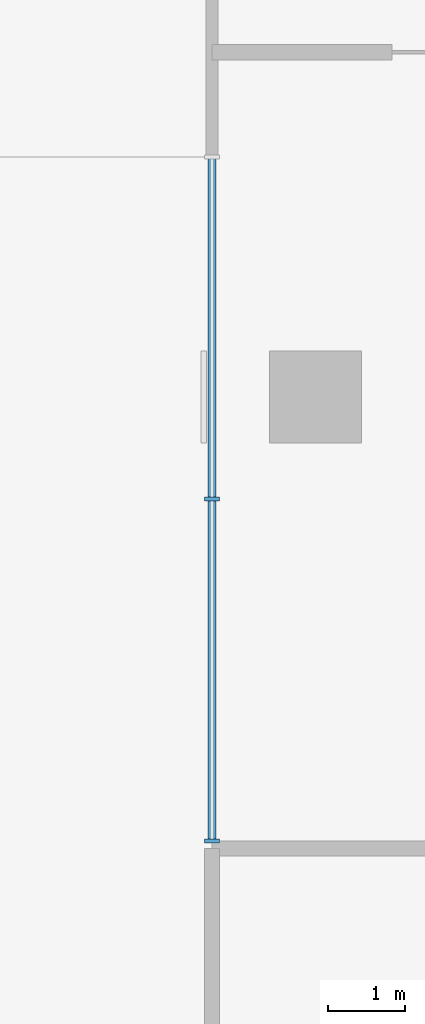
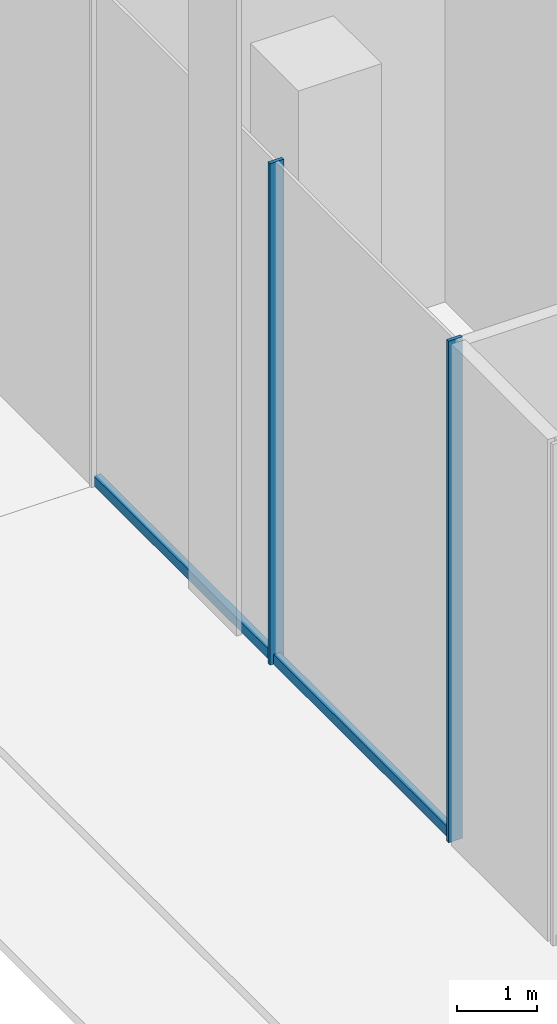
# One storey, part 3 of 42: 3 members, 1 element without a shape of its own.
"""IFC4 building model written with IfcOpenShell, lengths in metres."""

from ifc_helpers import new_model, si_unit, direction, frame, origin, origin_2d, place, context, subcontext, project, spatial, rectangle, extrude, material, layer, layer_set, material_profile, profile_set, type_object, element, aggregate, save


model = new_model("IFC4")

# Units and contexts
model_context = context("Model", 3, precision=1e-05, world=origin(), true_north=direction((0.0, 1.0)))
body_context = subcontext(model_context, "Body", "Model", "MODEL_VIEW")
ifc_project = project(units=[si_unit("LENGTHUNIT", "METRE"), si_unit("AREAUNIT", "SQUARE_METRE"), si_unit("VOLUMEUNIT", "CUBIC_METRE"), si_unit("PLANEANGLEUNIT", "RADIAN"), si_unit("MASSUNIT", "GRAM", prefix="KILO")], contexts=[model_context])

# Site, building, storey
site_placement = place(None, origin())
site = spatial("IfcSite", under=ifc_project, at=site_placement, CompositionType="ELEMENT")
building_placement = place(site_placement, origin())
building = spatial("IfcBuilding", under=site, at=building_placement, Name="Plateau Cross Towers", CompositionType="ELEMENT")
storey_placement = place(building_placement, origin())
storey = spatial("IfcBuildingStorey", under=building, at=storey_placement, Name="L00", CompositionType="ELEMENT", Elevation=0.0)

# Curtain wall, members
ifc_material_1 = material(Name="Dark low-iron laminated glass", Category="glass")
ifc_layer = layer(ifc_material_1, 0.300048828125)
ifc_layer_set = layer_set([ifc_layer], Name="Dark low-iron laminated glass")
curtain_wall_type = type_object("IfcCurtainWallType", Name="Curtain wall structural silicone CW-C", PredefinedType="NOTDEFINED", material=ifc_layer_set)
curtain_wall_placement = place(storey_placement, origin())
curtain_wall = element("IfcCurtainWall", 1, at=curtain_wall_placement, inside=storey, type_object=curtain_wall_type, Name="ENV/P/L00/P-58_211", PredefinedType="NOTDEFINED")
ifc_material_2 = material(Name="Black anodised aluminium", Category="aluminium")
ifc_material_profile_1 = material_profile(ifc_material_2, rectangle(XDim=0.050048828125, YDim=0.199951171875, at=origin_2d()), Name="MULLION 50x200")
ifc_profile_set_1 = profile_set([ifc_material_profile_1], Name="Black anodised aluminium")
member_type_1 = type_object("IfcMemberType", Name="Mullion 50x200 structural silicone", PredefinedType="MULLION", material=ifc_profile_set_1)
member_1_placement = place(storey_placement, frame((-5.85009765625, 16.6650390625, 0.0), z_axis=(0.0, 0.0, 1.0), x_axis=(0.0, -1.0, 0.0)))
member_1 = element("IfcMember", 2, at=member_1_placement, type_object=member_type_1, Name="CW-C mullion 2", PredefinedType="MULLION", context=body_context, shape_type="SweptSolid", body=[
    extrude(rectangle(XDim=0.050048828125, YDim=0.199951171875, at=origin_2d()), origin(), (0.0, 0.0, 1.0), 7.64990234375),
])
member_2_placement = place(storey_placement, frame((-5.85009765625, 12.199951171875, 0.0), z_axis=(0.0, 0.0, 1.0), x_axis=(0.0, -1.0, 0.0)))
member_2 = element("IfcMember", 3, at=member_2_placement, type_object=member_type_1, Name="CW-C mullion 3", PredefinedType="MULLION", context=body_context, shape_type="SweptSolid", body=[
    extrude(rectangle(XDim=0.050048828125, YDim=0.199951171875, at=origin_2d()), origin(), (0.0, 0.0, 1.0), 7.64990234375),
])
ifc_material_profile_2 = material_profile(ifc_material_2, rectangle(XDim=0.10009765625, YDim=0.14990234375, at=origin_2d()), Name="TRANSOM 100x150")
ifc_profile_set_2 = profile_set([ifc_material_profile_2], Name="Black anodised aluminium")
member_type_2 = type_object("IfcMemberType", Name="Transom 100x150 structural silicone", PredefinedType="USERDEFINED", material=ifc_profile_set_2)
member_3_placement = place(storey_placement, frame((-5.85009765625, 21.1298828125, 0.074951171875), z_axis=(0.0, -1.0, 0.0), x_axis=(1.0, 0.0, 0.0)))
member_3 = element("IfcMember", 4, at=member_3_placement, type_object=member_type_2, Name="CW-C transom", ObjectType="TRANSOM", PredefinedType="USERDEFINED", context=body_context, shape_type="SweptSolid", body=[
    extrude(rectangle(XDim=0.10009765625, YDim=0.14990234375, at=origin_2d()), origin(), (0.0, 0.0, 1.0), 8.929931640625),
])
aggregate(curtain_wall, [member_1, member_2, member_3])

save(model, "model.ifc")
